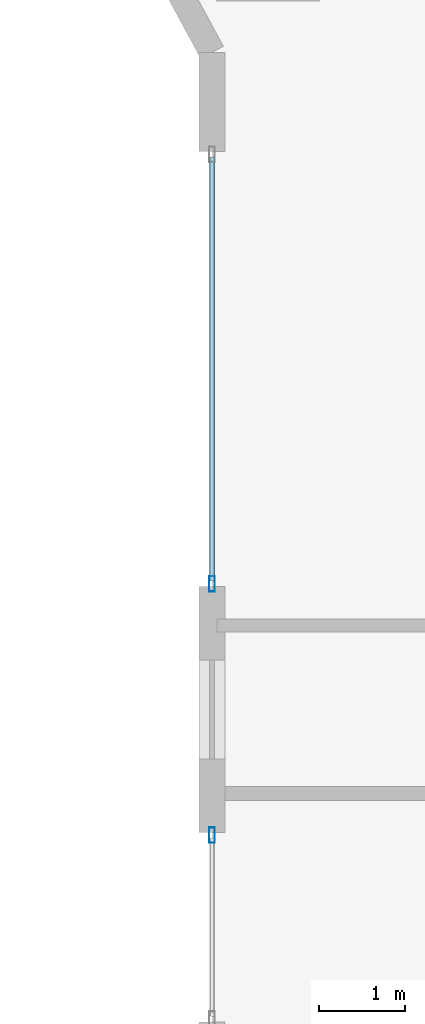
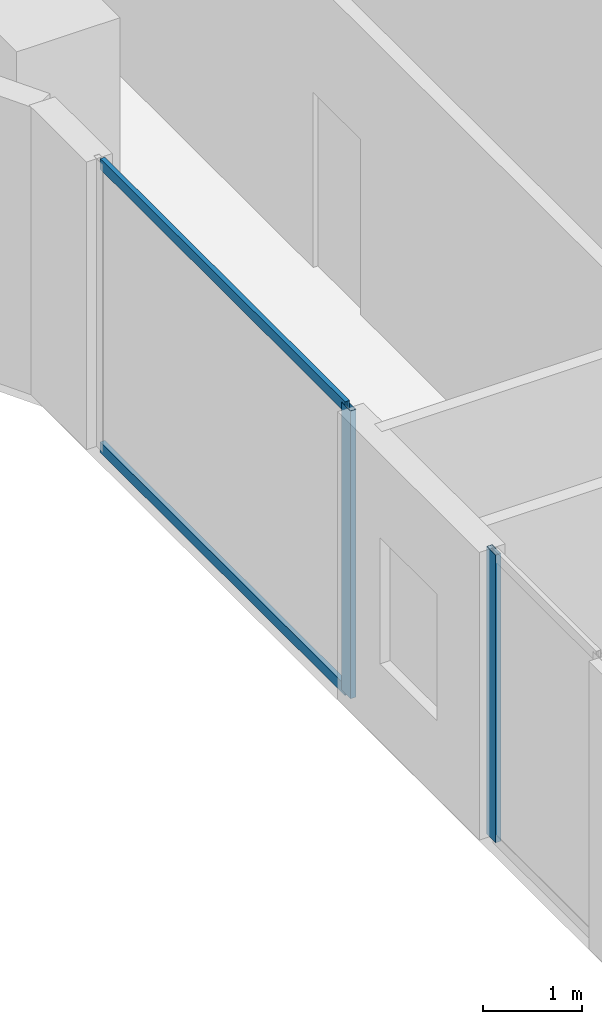
# One storey, part 4 of 33: 4 members, 2 elements without a shape of their own.
"""IFC4 building model written with IfcOpenShell, lengths in metres."""

from ifc_helpers import new_model, si_unit, direction, frame, origin, origin_2d, place, context, subcontext, project, spatial, hollow_rectangle, extrude, material, layer, layer_set, material_profile, profile_set, type_object, element, aggregate, save


model = new_model("IFC4")

# Units and contexts
model_context = context("Model", 3, precision=1e-05, world=origin(), true_north=direction((0.0, 1.0)))
body_context = subcontext(model_context, "Body", "Model", "MODEL_VIEW")
ifc_project = project(units=[si_unit("LENGTHUNIT", "METRE"), si_unit("AREAUNIT", "SQUARE_METRE"), si_unit("VOLUMEUNIT", "CUBIC_METRE"), si_unit("PLANEANGLEUNIT", "RADIAN"), si_unit("MASSUNIT", "GRAM", prefix="KILO")], contexts=[model_context])

# Site, building, storey
site_placement = place(None, origin())
site = spatial("IfcSite", under=ifc_project, at=site_placement, CompositionType="ELEMENT")
building_placement = place(site_placement, origin())
building = spatial("IfcBuilding", under=site, at=building_placement, Name="Zuhayl Quay Hotel", CompositionType="ELEMENT")
storey_placement = place(building_placement, frame((0.0, 0.0, 211.14990234375)))
storey = spatial("IfcBuildingStorey", under=building, at=storey_placement, Name="L53", CompositionType="ELEMENT", Elevation=211.14990234375)

# Curtain wall, member
ifc_material_1 = material(Name="Anodised Aluminium 6063-T6", Category="aluminium")
ifc_layer = layer(ifc_material_1, 0.175048828125, Name="Anodised Aluminium 6063-T6", Category="aluminium")
ifc_layer_set = layer_set([ifc_layer], Name="Anodised Aluminium 6063-T6")
curtain_wall_type = type_object("IfcCurtainWallType", Name="CW_SYS_Z3", PredefinedType="USERDEFINED", material=ifc_layer_set)
curtain_wall_1_placement = place(storey_placement, origin())
curtain_wall_1 = element("IfcCurtainWall", 1, at=curtain_wall_1_placement, inside=storey, type_object=curtain_wall_type, Name="L53 Curtain Wall ENV_L53_E02_CW1", ObjectType="UNITISED CURTAIN WALL", PredefinedType="USERDEFINED")
ifc_material_2 = material(Name="Black-anodised aluminium 6063-T6", Category="aluminium")
ifc_material_profile_1 = material_profile(ifc_material_2, hollow_rectangle(XDim=0.06494140625, YDim=0.179931640625, WallThickness=0.00341796875, at=origin_2d()), Name="ALU180X65")
ifc_profile_set_1 = profile_set([ifc_material_profile_1], Name="Black-anodised aluminium 6063-T6")
member_type_1 = type_object("IfcMemberType", Name="MB_CW_MUL_180", PredefinedType="MULLION", material=ifc_profile_set_1)
member_1_placement = place(storey_placement, frame((-22.10009765625, -0.882568359375, 0.0), z_axis=(0.0, 0.0, 1.0), x_axis=(-1.0, 0.0, 0.0)))
member_1 = element("IfcMember", 2, at=member_1_placement, type_object=member_type_1, Name="CW-Z3 mullion 2", PredefinedType="MULLION", context=body_context, shape_type="SweptSolid", body=[
    extrude(hollow_rectangle(XDim=0.06494140625, YDim=0.179931640625, WallThickness=0.00341796875, at=origin_2d()), origin(), (0.0, 0.0, 1.0), 3.530029296875),
])
aggregate(curtain_wall_1, [member_1])

# Curtain wall, members
curtain_wall_2_placement = place(storey_placement, origin())
curtain_wall_2 = element("IfcCurtainWall", 3, at=curtain_wall_2_placement, inside=storey, type_object=curtain_wall_type, Name="L53 Curtain Wall ENV_L53_E02_CW2", ObjectType="UNITISED CURTAIN WALL", PredefinedType="USERDEFINED")
member_2_placement = place(storey_placement, frame((-22.10009765625, 2.032470703125, 0.0), z_axis=(0.0, 0.0, 1.0), x_axis=(-1.0, 0.0, 0.0)))
member_2 = element("IfcMember", 4, at=member_2_placement, type_object=member_type_1, Name="CW-Z3 mullion 1", PredefinedType="MULLION", context=body_context, shape_type="SweptSolid", body=[
    extrude(hollow_rectangle(XDim=0.06494140625, YDim=0.179931640625, WallThickness=0.00341796875, at=origin_2d()), origin(), (0.0, 0.0, 1.0), 3.530029296875),
])
ifc_material_profile_2 = material_profile(ifc_material_2, hollow_rectangle(XDim=0.054931640625, YDim=0.1298828125, WallThickness=0.0029296875, at=origin_2d()), Name="ALU130X55")
ifc_profile_set_2 = profile_set([ifc_material_profile_2], Name="Black-anodised aluminium 6063-T6")
member_type_2 = type_object("IfcMemberType", Name="MB_CW_TRN_130", PredefinedType="USERDEFINED", material=ifc_profile_set_2)
member_3_placement = place(storey_placement, frame((-22.10009765625, 2.06494140625, 0.027587890625), z_axis=(0.0, 1.0, 0.0), x_axis=(-1.0, 0.0, 0.0)))
member_3 = element("IfcMember", 5, at=member_3_placement, type_object=member_type_2, Name="CW-Z3 transom 1.1", ObjectType="TRANSOM", PredefinedType="USERDEFINED", context=body_context, shape_type="SweptSolid", body=[
    extrude(hollow_rectangle(XDim=0.054931640625, YDim=0.1298828125, WallThickness=0.0029296875, at=origin_2d()), origin(), (0.0, 0.0, 1.0), 4.920166015625),
])
member_4_placement = place(storey_placement, frame((-22.10009765625, 2.06494140625, 3.502685546875), z_axis=(0.0, 1.0, 0.0), x_axis=(-1.0, 0.0, 0.0)))
member_4 = element("IfcMember", 6, at=member_4_placement, type_object=member_type_2, Name="CW-Z3 transom 1.2", ObjectType="TRANSOM", PredefinedType="USERDEFINED", context=body_context, shape_type="SweptSolid", body=[
    extrude(hollow_rectangle(XDim=0.054931640625, YDim=0.1298828125, WallThickness=0.0029296875, at=origin_2d()), origin(), (0.0, 0.0, 1.0), 4.920166015625),
])
aggregate(curtain_wall_2, [member_2, member_3, member_4])

save(model, "model.ifc")
